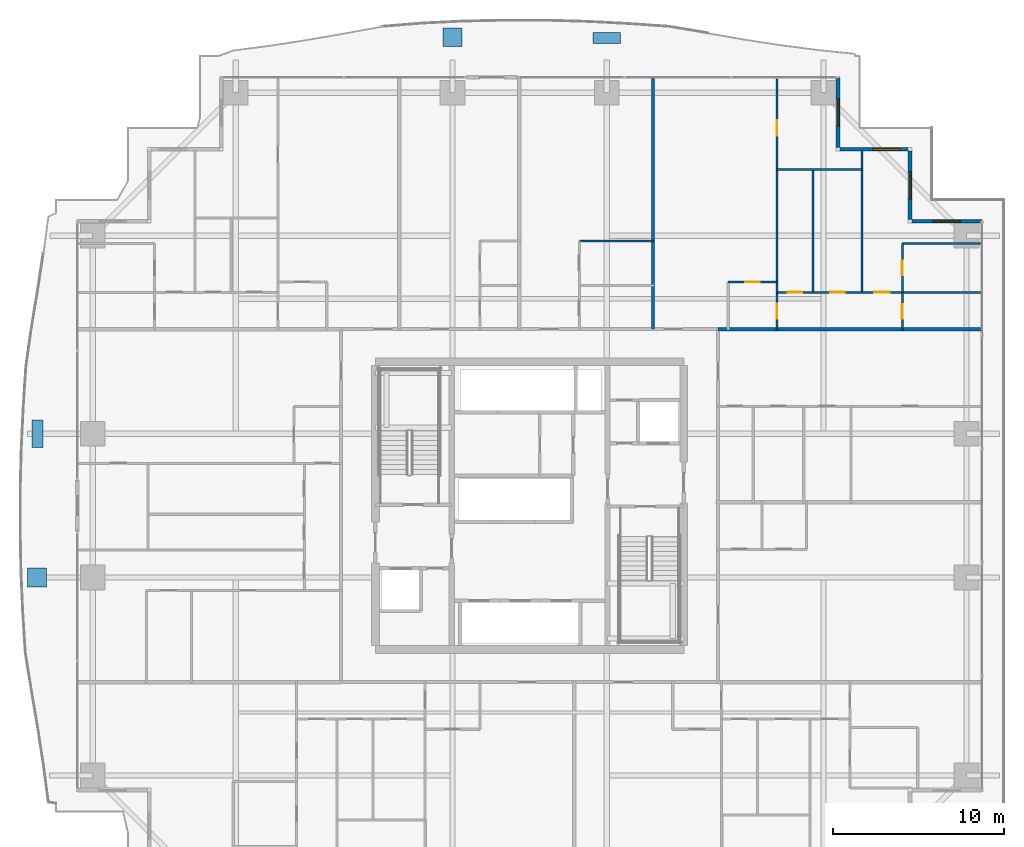
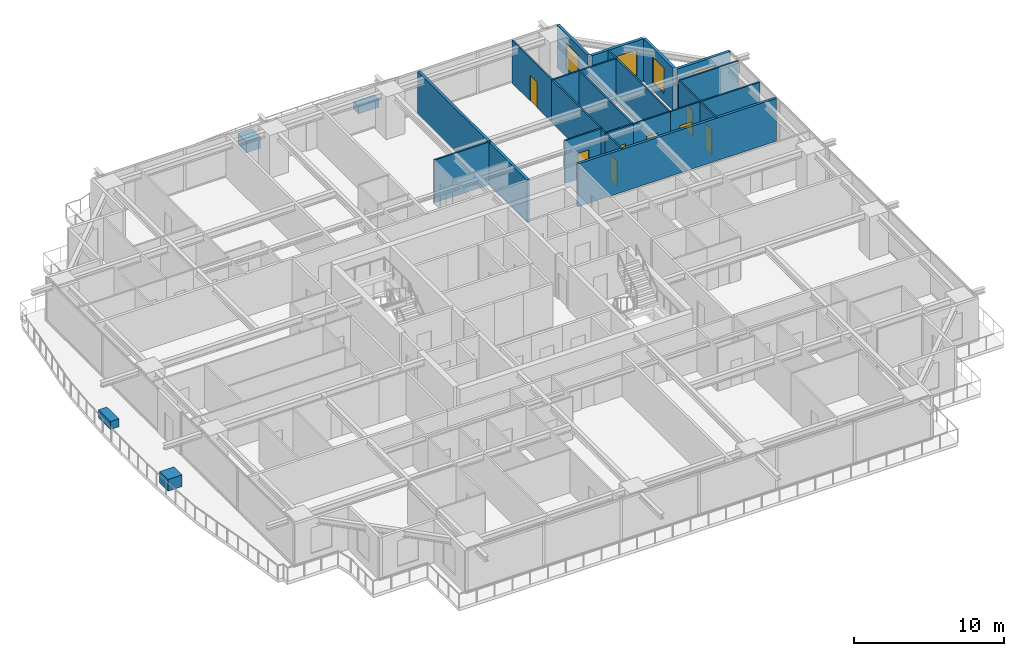
# One storey, part 27 of 34: 21 walls, 8 doors, 4 discrete accessories, 4 windows, 12 openings.
"""IFC4 building model written with IfcOpenShell, lengths in metres."""

from ifc_helpers import new_model, si_unit, direction, frame, frame_2d, origin, origin_2d, place, context, subcontext, project, spatial, rectangle, extrude, source, transform, mapped, material, layer, layer_set, type_object, element, fill, save


model = new_model("IFC4")

# Units and contexts
model_context = context("Model", 3, precision=1e-05, world=origin(), true_north=direction((0.0, 1.0)))
body_context = subcontext(model_context, "Body", "Model", "MODEL_VIEW")
ifc_project = project(units=[si_unit("LENGTHUNIT", "METRE"), si_unit("AREAUNIT", "SQUARE_METRE"), si_unit("VOLUMEUNIT", "CUBIC_METRE"), si_unit("PLANEANGLEUNIT", "RADIAN"), si_unit("MASSUNIT", "GRAM", prefix="KILO")], contexts=[model_context])

# Site, building, storey
site_placement = place(None, origin())
site = spatial("IfcSite", under=ifc_project, at=site_placement, CompositionType="ELEMENT")
building_placement = place(site_placement, origin())
building = spatial("IfcBuilding", under=site, at=building_placement, Name="Serunith Strait Residences", CompositionType="ELEMENT")
storey_placement = place(building_placement, frame((0.0, 0.0, 101.699951171875)))
storey = spatial("IfcBuildingStorey", under=building, at=storey_placement, Name="L25", CompositionType="ELEMENT", Elevation=101.699951171875)

# Wall, opening, window
ifc_material_1 = material(Name="Pale-Champagne Aluminium Insulated Panel", Category="aluminium")
ifc_layer_1 = layer(ifc_material_1, 0.219970703125, Name="Pale-Champagne Aluminium Insulated Panel")
ifc_layer_set_1 = layer_set([ifc_layer_1], Name="Pale-Champagne Aluminium Insulated Panel")
wall_type_1 = type_object("IfcWallType", Name="EW-ALUM-220", PredefinedType="ELEMENTEDWALL", material=ifc_layer_set_1)
wall_1_placement = place(storey_placement, frame((58.800048828125, 41.800048828125, 0.0), z_axis=(0.0, 0.0, 1.0), x_axis=(-1.0, 0.0, 0.0)))
wall_1 = element("IfcWall", 1, at=wall_1_placement, inside=storey, type_object=wall_type_1, Name="L25 Girih Serrated Corner Wall 07", PredefinedType="ELEMENTEDWALL", context=body_context, shape_type="SweptSolid", body=[
    extrude(rectangle(XDim=4.090087890625, YDim=0.219970703125, at=frame_2d((2.044921875, 0.0))), origin(), (0.0, 0.0, 1.0), 3.47509765625),
])
opening_1_placement = place(wall_1_placement, frame((1.2451171875, 0.0, 0.64990234375)))
opening_1 = element("IfcOpeningElement", 2, at=opening_1_placement, cuts=wall_1, Name="Opening W-02", PredefinedType="OPENING", context=body_context, shape_type="SweptSolid", body=[
    extrude(rectangle(XDim=1.60009765625, YDim=2.10009765625, at=frame_2d((0.800048828125, 1.050048828125))), frame((0.0, 0.1201171875, 0.0), z_axis=(0.0, -1.0, 0.0), x_axis=(1.0, 0.0, 0.0)), (0.0, 0.0, 1.0), 0.239990234375),
])
ifc_material_2 = material(Name="Ceramic-Fritted Operable Aluminium Window Glass", Category="aluminium")
window_type = type_object("IfcWindowType", Name="WIN-C2", PartitioningType="DOUBLE_PANEL_VERTICAL", PredefinedType="WINDOW", material=ifc_material_2)
shared_shape_1 = source(origin(), body_context, "Body", "SweptSolid", [
    extrude(rectangle(XDim=1.60009765625, YDim=2.10009765625, at=frame_2d((0.800048828125, 1.050048828125))), frame((0.0, 0.030029296875, 0.0), z_axis=(0.0, -1.0, 0.0), x_axis=(1.0, 0.0, 0.0)), (0.0, 0.0, 1.0), 0.06005859375),
])
window_1_placement = place(opening_1_placement, origin())
window_1 = element("IfcWindow", 3, at=window_1_placement, inside=storey, type_object=window_type, Name="L25 Corner Operable Fritted Window 07", OverallHeight=2.10009765625, OverallWidth=1.60009765625, PartitioningType="SINGLE_PANEL", PredefinedType="WINDOW", context=body_context, shape_type="MappedRepresentation", body=[
    mapped(shared_shape_1, transform((0.0, 0.0, 0.0), scale=1.0)),
])
fill(opening_1, window_1)

wall_2_placement = place(storey_placement, frame((54.60009765625, 41.909912109375, 0.0), z_axis=(0.0, 0.0, 1.0), x_axis=(0.0, 1.0, 0.0)))
wall_2 = element("IfcWall", 4, at=wall_2_placement, inside=storey, type_object=wall_type_1, Name="L25 Girih Serrated Corner Wall 08", PredefinedType="ELEMENTEDWALL", context=body_context, shape_type="SweptSolid", body=[
    extrude(rectangle(XDim=3.97998046875, YDim=0.219970703125, at=frame_2d((1.989990234375, 0.0))), origin(), (0.0, 0.0, 1.0), 3.47509765625),
])
opening_2_placement = place(wall_2_placement, frame((1.18994140625, 0.0, 0.64990234375)))
opening_2 = element("IfcOpeningElement", 5, at=opening_2_placement, cuts=wall_2, Name="Opening W-02", PredefinedType="OPENING", context=body_context, shape_type="SweptSolid", body=[
    extrude(rectangle(XDim=1.60009765625, YDim=2.10009765625, at=frame_2d((0.800048828125, 1.050048828125))), frame((0.0, 0.1201171875, 0.0), z_axis=(0.0, -1.0, 0.0), x_axis=(1.0, 0.0, 0.0)), (0.0, 0.0, 1.0), 0.239990234375),
])
window_2_placement = place(opening_2_placement, origin())
window_2 = element("IfcWindow", 6, at=window_2_placement, inside=storey, type_object=window_type, Name="L25 Corner Operable Fritted Window 08", OverallHeight=2.10009765625, OverallWidth=1.60009765625, PartitioningType="SINGLE_PANEL", PredefinedType="WINDOW", context=body_context, shape_type="MappedRepresentation", body=[
    mapped(shared_shape_1, transform((0.0, 0.0, 0.0), scale=1.0)),
])
fill(opening_2, window_2)

wall_3_placement = place(storey_placement, frame((54.489990234375, 46.0, 0.0), z_axis=(0.0, 0.0, 1.0), x_axis=(-1.0, 0.0, 0.0)))
wall_3 = element("IfcWall", 7, at=wall_3_placement, inside=storey, type_object=wall_type_1, Name="L25 Girih Serrated Corner Wall 09", PredefinedType="ELEMENTEDWALL", context=body_context, shape_type="SweptSolid", body=[
    extrude(rectangle(XDim=3.97998046875, YDim=0.219970703125, at=frame_2d((1.989990234375, 0.0))), origin(), (0.0, 0.0, 1.0), 3.47509765625),
])
opening_3_placement = place(wall_3_placement, frame((0.47607421875, 0.0, 0.64990234375)))
opening_3 = element("IfcOpeningElement", 8, at=opening_3_placement, cuts=wall_3, Name="Opening W-02", PredefinedType="OPENING", context=body_context, shape_type="SweptSolid", body=[
    extrude(rectangle(XDim=1.60009765625, YDim=2.10009765625, at=frame_2d((0.800048828125, 1.050048828125))), frame((0.0, 0.1201171875, 0.0), z_axis=(0.0, -1.0, 0.0), x_axis=(1.0, 0.0, 0.0)), (0.0, 0.0, 1.0), 0.239990234375),
])
window_3_placement = place(opening_3_placement, origin())
window_3 = element("IfcWindow", 9, at=window_3_placement, inside=storey, type_object=window_type, Name="L25 Corner Operable Fritted Window 09", OverallHeight=2.10009765625, OverallWidth=1.60009765625, PartitioningType="SINGLE_PANEL", PredefinedType="WINDOW", context=body_context, shape_type="MappedRepresentation", body=[
    mapped(shared_shape_1, transform((0.0, 0.0, 0.0), scale=1.0)),
])
fill(opening_3, window_3)

wall_4_placement = place(storey_placement, frame((50.39990234375, 46.110107421875, 0.0), z_axis=(0.0, 0.0, 1.0), x_axis=(0.0, 1.0, 0.0)))
wall_4 = element("IfcWall", 10, at=wall_4_placement, inside=storey, type_object=wall_type_1, Name="L25 Girih Serrated Corner Wall 10", PredefinedType="ELEMENTEDWALL", context=body_context, shape_type="SweptSolid", body=[
    extrude(rectangle(XDim=4.08984375, YDim=0.219970703125, at=frame_2d((2.044921875, 0.0))), origin(), (0.0, 0.0, 1.0), 3.47509765625),
])
opening_4_placement = place(wall_4_placement, frame((1.2451171875, 0.0, 0.64990234375)))
opening_4 = element("IfcOpeningElement", 11, at=opening_4_placement, cuts=wall_4, Name="Opening W-02", PredefinedType="OPENING", context=body_context, shape_type="SweptSolid", body=[
    extrude(rectangle(XDim=1.60009765625, YDim=2.10009765625, at=frame_2d((0.800048828125, 1.050048828125))), frame((0.0, 0.1201171875, 0.0), z_axis=(0.0, -1.0, 0.0), x_axis=(1.0, 0.0, 0.0)), (0.0, 0.0, 1.0), 0.239990234375),
])
window_4_placement = place(opening_4_placement, origin())
window_4 = element("IfcWindow", 12, at=window_4_placement, inside=storey, type_object=window_type, Name="L25 Corner Operable Fritted Window 10", OverallHeight=2.10009765625, OverallWidth=1.60009765625, PartitioningType="SINGLE_PANEL", PredefinedType="WINDOW", context=body_context, shape_type="MappedRepresentation", body=[
    mapped(shared_shape_1, transform((0.0, 0.0, 0.0), scale=1.0)),
])
fill(opening_4, window_4)

# Wall
ifc_material_3 = material(Name="Lightweight steel-stud gypsum partition", Category="steel")
ifc_layer_2 = layer(ifc_material_3, 0.1201171875, Name="Lightweight steel-stud gypsum partition")
ifc_layer_set_2 = layer_set([ifc_layer_2], Name="Lightweight steel-stud gypsum partition")
wall_type_2 = type_object("IfcWallType", Name="IW-PART-120", PredefinedType="PARTITIONING", material=ifc_layer_set_2)
wall_5_placement = place(storey_placement, frame((35.300048828125, 40.64990234375, 0.0), z_axis=(0.0, 0.0, 1.0), x_axis=(1.0, 0.0, 0.0)))
element("IfcWall", 13, at=wall_5_placement, inside=storey, type_object=wall_type_2, Name="L25 Partition Wall 084", PredefinedType="PARTITIONING", context=body_context, shape_type="SweptSolid", body=[
    extrude(rectangle(XDim=4.35986328125, YDim=0.1201171875, at=frame_2d((2.179931640625, 0.0))), origin(), (0.0, 0.0, 1.0), 3.489990234375),
])

# Wall, opening, door
wall_6_placement = place(storey_placement, frame((43.989990234375, 38.25, 0.0), z_axis=(0.0, 0.0, 1.0), x_axis=(1.0, 0.0, 0.0)))
wall_6 = element("IfcWall", 14, at=wall_6_placement, inside=storey, type_object=wall_type_2, Name="L25 Partition Wall 085", PredefinedType="PARTITIONING", context=body_context, shape_type="SweptSolid", body=[
    extrude(rectangle(XDim=2.85009765625, YDim=0.1201171875, at=frame_2d((1.425048828125, 0.0))), origin(), (0.0, 0.0, 1.0), 3.489990234375),
])
opening_5_placement = place(wall_6_placement, frame((1.0, 0.0, 0.0)))
opening_5 = element("IfcOpeningElement", 15, at=opening_5_placement, cuts=wall_6, Name="Opening D-RM850", PredefinedType="OPENING", context=body_context, shape_type="SweptSolid", body=[
    extrude(rectangle(XDim=0.85009765625, YDim=2.10009765625, at=frame_2d((0.425048828125, 1.050048828125))), frame((0.0, 0.070068359375, 0.0), z_axis=(0.0, -1.0, 0.0), x_axis=(1.0, 0.0, 0.0)), (0.0, 0.0, 1.0), 0.14013671875),
])
ifc_material_4 = material(Name="Engineered timber flush study and kitchen door", Category="wood")
door_type_1 = type_object("IfcDoorType", Name="ID-ROOM-850", OperationType="NOTDEFINED", PredefinedType="DOOR", material=ifc_material_4)
shared_shape_2 = source(origin(), body_context, "Body", "SweptSolid", [
    extrude(rectangle(XDim=0.85009765625, YDim=2.10009765625, at=frame_2d((0.425048828125, 1.050048828125))), frame((0.0, 0.02490234375, 0.0), z_axis=(0.0, -1.0, 0.0), x_axis=(1.0, 0.0, 0.0)), (0.0, 0.0, 1.0), 0.050048828125),
])
door_1_placement = place(opening_5_placement, origin())
door_1 = element("IfcDoor", 16, at=door_1_placement, inside=storey, type_object=door_type_1, Name="L25 Kitchen 2506 Door", OperationType="SINGLE_SWING_RIGHT", OverallHeight=2.10009765625, OverallWidth=0.85009765625, PredefinedType="DOOR", context=body_context, shape_type="MappedRepresentation", body=[
    mapped(shared_shape_2, transform((0.0, 0.0, 0.0), scale=1.0)),
])
fill(opening_5, door_1)

wall_7_placement = place(storey_placement, frame((46.840087890625, 37.64990234375, 0.0), z_axis=(0.0, 0.0, 1.0), x_axis=(0.0, -1.0, 0.0)))
wall_7 = element("IfcWall", 17, at=wall_7_placement, inside=storey, type_object=wall_type_2, Name="L25 Partition Wall 087", PredefinedType="PARTITIONING", context=body_context, shape_type="SweptSolid", body=[
    extrude(rectangle(XDim=2.2099609375, YDim=0.1201171875, at=frame_2d((1.10498046875, 0.0))), origin(), (0.0, 0.0, 1.0), 3.489990234375),
])
opening_6_placement = place(wall_7_placement, frame((0.655029296875, 0.0, 0.0)))
opening_6 = element("IfcOpeningElement", 18, at=opening_6_placement, cuts=wall_7, Name="Opening D-RM900", PredefinedType="OPENING", context=body_context, shape_type="SweptSolid", body=[
    extrude(rectangle(XDim=0.89990234375, YDim=2.10009765625, at=frame_2d((0.449951171875, 1.050048828125))), frame((0.0, 0.070068359375, 0.0), z_axis=(0.0, -1.0, 0.0), x_axis=(1.0, 0.0, 0.0)), (0.0, 0.0, 1.0), 0.14013671875),
])
ifc_material_5 = material(Name="Engineered timber flush bedroom door", Category="wood")
door_type_2 = type_object("IfcDoorType", Name="ID-ROOM-900", OperationType="NOTDEFINED", PredefinedType="DOOR", material=ifc_material_5)
shared_shape_3 = source(origin(), body_context, "Body", "SweptSolid", [
    extrude(rectangle(XDim=0.89990234375, YDim=2.10009765625, at=frame_2d((0.449951171875, 1.050048828125))), frame((0.0, 0.02490234375, 0.0), z_axis=(0.0, -1.0, 0.0), x_axis=(1.0, 0.0, 0.0)), (0.0, 0.0, 1.0), 0.050048828125),
])
door_2_placement = place(opening_6_placement, origin())
door_2 = element("IfcDoor", 19, at=door_2_placement, inside=storey, type_object=door_type_2, Name="L25 Hall E 2506 Door", OperationType="SINGLE_SWING_LEFT", OverallHeight=2.10009765625, OverallWidth=0.89990234375, PredefinedType="DOOR", context=body_context, shape_type="MappedRepresentation", body=[
    mapped(shared_shape_3, transform((0.0, 0.0, 0.0), scale=1.0)),
])
fill(opening_6, door_2)

wall_8_placement = place(storey_placement, frame((46.840087890625, 50.10498046875, 0.0), z_axis=(0.0, 0.0, 1.0), x_axis=(0.0, -1.0, 0.0)))
wall_8 = element("IfcWall", 20, at=wall_8_placement, inside=storey, type_object=wall_type_2, Name="L25 Partition Wall 088", PredefinedType="PARTITIONING", context=body_context, shape_type="SweptSolid", body=[
    extrude(rectangle(XDim=5.286865234375, YDim=0.1201171875, at=frame_2d((2.6435546875, 0.0))), origin(), (0.0, 0.0, 1.0), 3.489990234375),
])
opening_7_placement = place(wall_8_placement, frame((2.4130859375, 0.0, 0.0)))
opening_7 = element("IfcOpeningElement", 21, at=opening_7_placement, cuts=wall_8, Name="Opening D-RM900", PredefinedType="OPENING", context=body_context, shape_type="SweptSolid", body=[
    extrude(rectangle(XDim=0.89990234375, YDim=2.10009765625, at=frame_2d((0.449951171875, 1.050048828125))), frame((0.0, 0.070068359375, 0.0), z_axis=(0.0, -1.0, 0.0), x_axis=(1.0, 0.0, 0.0)), (0.0, 0.0, 1.0), 0.14013671875),
])
door_3_placement = place(opening_7_placement, origin())
door_3 = element("IfcDoor", 22, at=door_3_placement, inside=storey, type_object=door_type_2, Name="L25 Study 1 2506 Door", OperationType="SINGLE_SWING_RIGHT", OverallHeight=2.10009765625, OverallWidth=0.89990234375, PredefinedType="DOOR", context=body_context, shape_type="MappedRepresentation", body=[
    mapped(shared_shape_3, transform((0.0, 0.0, 0.0), scale=1.0)),
])
fill(opening_7, door_3)

# Walls
wall_9_placement = place(storey_placement, frame((46.840087890625, 44.81591796875, 0.0), z_axis=(0.0, 0.0, 1.0), x_axis=(0.0, -1.0, 0.0)))
element("IfcWall", 23, at=wall_9_placement, inside=storey, type_object=wall_type_2, Name="L25 Partition Wall 089", PredefinedType="PARTITIONING", context=body_context, shape_type="SweptSolid", body=[
    extrude(rectangle(XDim=7.163818359375, YDim=0.1201171875, at=frame_2d((3.58203125, 0.0))), origin(), (0.0, 0.0, 1.0), 3.489990234375),
])
wall_10_placement = place(storey_placement, frame((46.840087890625, 44.818115234375, 0.0), z_axis=(0.0, 0.0, 1.0), x_axis=(1.0, 0.0, 0.0)))
element("IfcWall", 24, at=wall_10_placement, inside=storey, type_object=wall_type_2, Name="L25 Partition Wall 090", PredefinedType="PARTITIONING", context=body_context, shape_type="SweptSolid", body=[
    extrude(rectangle(XDim=4.9599609375, YDim=0.1201171875, at=frame_2d((2.47998046875, 0.0))), origin(), (0.0, 0.0, 1.0), 3.489990234375),
])
wall_11_placement = place(storey_placement, frame((51.800048828125, 45.905029296875, 0.0), z_axis=(0.0, 0.0, 1.0), x_axis=(0.0, -1.0, 0.0)))
element("IfcWall", 25, at=wall_11_placement, inside=storey, type_object=wall_type_2, Name="L25 Partition Wall 091", PredefinedType="PARTITIONING", context=body_context, shape_type="SweptSolid", body=[
    extrude(rectangle(XDim=8.255126953125, YDim=0.1201171875, at=frame_2d((4.12744140625, 0.0))), origin(), (0.0, 0.0, 1.0), 3.489990234375),
])
wall_12_placement = place(storey_placement, frame((48.93994140625, 44.818115234375, 0.0), z_axis=(0.0, 0.0, 1.0), x_axis=(0.0, -1.0, 0.0)))
element("IfcWall", 26, at=wall_12_placement, inside=storey, type_object=wall_type_2, Name="L25 Partition Wall 092", PredefinedType="PARTITIONING", context=body_context, shape_type="SweptSolid", body=[
    extrude(rectangle(XDim=7.168212890625, YDim=0.1201171875, at=frame_2d((3.583984375, 0.0))), origin(), (0.0, 0.0, 1.0), 3.489990234375),
])

# Wall, opening, door
wall_13_placement = place(storey_placement, frame((46.840087890625, 37.64990234375, 0.0), z_axis=(0.0, 0.0, 1.0), x_axis=(1.0, 0.0, 0.0)))
wall_13 = element("IfcWall", 27, at=wall_13_placement, inside=storey, type_object=wall_type_2, Name="L25 Partition Wall 093", PredefinedType="PARTITIONING", context=body_context, shape_type="SweptSolid", body=[
    extrude(rectangle(XDim=2.099853515625, YDim=0.1201171875, at=frame_2d((1.0498046875, 0.0))), origin(), (0.0, 0.0, 1.0), 3.489990234375),
])
opening_8_placement = place(wall_13_placement, frame((0.625, 0.0, 0.0)))
opening_8 = element("IfcOpeningElement", 28, at=opening_8_placement, cuts=wall_13, Name="Opening D-BTH850", PredefinedType="OPENING", context=body_context, shape_type="SweptSolid", body=[
    extrude(rectangle(XDim=0.85009765625, YDim=2.10009765625, at=frame_2d((0.425048828125, 1.050048828125))), frame((0.0, 0.070068359375, 0.0), z_axis=(0.0, -1.0, 0.0), x_axis=(1.0, 0.0, 0.0)), (0.0, 0.0, 1.0), 0.14013671875),
])
ifc_material_6 = material(Name="Moisture-resistant timber bathroom door", Category="wood")
door_type_3 = type_object("IfcDoorType", Name="ID-BATH-850", OperationType="NOTDEFINED", PredefinedType="DOOR", material=ifc_material_6)
door_4_placement = place(opening_8_placement, origin())
door_4 = element("IfcDoor", 29, at=door_4_placement, inside=storey, type_object=door_type_3, Name="L25 Bathroom 2506 Door", OperationType="SINGLE_SWING_LEFT", OverallHeight=2.10009765625, OverallWidth=0.85009765625, PredefinedType="DOOR", context=body_context, shape_type="MappedRepresentation", body=[
    mapped(shared_shape_2, transform((0.0, 0.0, 0.0), scale=1.0)),
])
fill(opening_8, door_4)

wall_14_placement = place(storey_placement, frame((48.94189453125, 37.64990234375, 0.0), z_axis=(0.0, 0.0, 1.0), x_axis=(1.0, 0.0, 0.0)))
wall_14 = element("IfcWall", 30, at=wall_14_placement, inside=storey, type_object=wall_type_2, Name="L25 Partition Wall 094", PredefinedType="PARTITIONING", context=body_context, shape_type="SweptSolid", body=[
    extrude(rectangle(XDim=2.858154296875, YDim=0.1201171875, at=frame_2d((1.42919921875, 0.0))), origin(), (0.0, 0.0, 1.0), 3.489990234375),
])
opening_9_placement = place(wall_14_placement, frame((1.00390625, 0.0, 0.0)))
opening_9 = element("IfcOpeningElement", 31, at=opening_9_placement, cuts=wall_14, Name="Opening D-RM850", PredefinedType="OPENING", context=body_context, shape_type="SweptSolid", body=[
    extrude(rectangle(XDim=0.85009765625, YDim=2.10009765625, at=frame_2d((0.425048828125, 1.050048828125))), frame((0.0, 0.070068359375, 0.0), z_axis=(0.0, -1.0, 0.0), x_axis=(1.0, 0.0, 0.0)), (0.0, 0.0, 1.0), 0.14013671875),
])
door_5_placement = place(opening_9_placement, origin())
door_5 = element("IfcDoor", 32, at=door_5_placement, inside=storey, type_object=door_type_1, Name="L25 Study 2506 Door", OperationType="SINGLE_SWING_RIGHT", OverallHeight=2.10009765625, OverallWidth=0.85009765625, PredefinedType="DOOR", context=body_context, shape_type="MappedRepresentation", body=[
    mapped(shared_shape_2, transform((0.0, 0.0, 0.0), scale=1.0)),
])
fill(opening_9, door_5)

wall_15_placement = place(storey_placement, frame((51.802001953125, 37.64990234375, 0.0), z_axis=(0.0, 0.0, 1.0), x_axis=(1.0, 0.0, 0.0)))
wall_15 = element("IfcWall", 33, at=wall_15_placement, inside=storey, type_object=wall_type_2, Name="L25 Partition Wall 095", PredefinedType="PARTITIONING", context=body_context, shape_type="SweptSolid", body=[
    extrude(rectangle(XDim=2.347900390625, YDim=0.1201171875, at=frame_2d((1.173828125, 0.0))), origin(), (0.0, 0.0, 1.0), 3.489990234375),
])
opening_10_placement = place(wall_15_placement, frame((0.72412109375, 0.0, 0.0)))
opening_10 = element("IfcOpeningElement", 34, at=opening_10_placement, cuts=wall_15, Name="Opening D-RM900", PredefinedType="OPENING", context=body_context, shape_type="SweptSolid", body=[
    extrude(rectangle(XDim=0.89990234375, YDim=2.10009765625, at=frame_2d((0.449951171875, 1.050048828125))), frame((0.0, 0.070068359375, 0.0), z_axis=(0.0, -1.0, 0.0), x_axis=(1.0, 0.0, 0.0)), (0.0, 0.0, 1.0), 0.14013671875),
])
door_6_placement = place(opening_10_placement, origin())
door_6 = element("IfcDoor", 35, at=door_6_placement, inside=storey, type_object=door_type_2, Name="L25 Master Bedroom E 2506 Door", OperationType="SINGLE_SWING_LEFT", OverallHeight=2.10009765625, OverallWidth=0.89990234375, PredefinedType="DOOR", context=body_context, shape_type="MappedRepresentation", body=[
    mapped(shared_shape_3, transform((0.0, 0.0, 0.0), scale=1.0)),
])
fill(opening_10, door_6)

# Walls
wall_16_placement = place(storey_placement, frame((54.14990234375, 40.506103515625, 0.0), z_axis=(0.0, 0.0, 1.0), x_axis=(1.0, 0.0, 0.0)))
element("IfcWall", 36, at=wall_16_placement, inside=storey, type_object=wall_type_2, Name="L25 Partition Wall 096", PredefinedType="PARTITIONING", context=body_context, shape_type="SweptSolid", body=[
    extrude(rectangle(XDim=4.55517578125, YDim=0.1201171875, at=frame_2d((2.277587890625, 0.0))), origin(), (0.0, 0.0, 1.0), 3.489990234375),
])
wall_17_placement = place(storey_placement, frame((54.152099609375, 37.64990234375, 0.0), z_axis=(0.0, 0.0, 1.0), x_axis=(1.0, 0.0, 0.0)))
element("IfcWall", 37, at=wall_17_placement, inside=storey, type_object=wall_type_2, Name="L25 Partition Wall 097", PredefinedType="PARTITIONING", context=body_context, shape_type="SweptSolid", body=[
    extrude(rectangle(XDim=4.552978515625, YDim=0.1201171875, at=frame_2d((2.2763671875, 0.0))), origin(), (0.0, 0.0, 1.0), 3.489990234375),
])

# Wall, opening, door
wall_18_placement = place(storey_placement, frame((54.14990234375, 40.506103515625, 0.0), z_axis=(0.0, 0.0, 1.0), x_axis=(0.0, -1.0, 0.0)))
wall_18 = element("IfcWall", 38, at=wall_18_placement, inside=storey, type_object=wall_type_2, Name="L25 Partition Wall 098", PredefinedType="PARTITIONING", context=body_context, shape_type="SweptSolid", body=[
    extrude(rectangle(XDim=2.856201171875, YDim=0.1201171875, at=frame_2d((1.42822265625, 0.0))), origin(), (0.0, 0.0, 1.0), 3.489990234375),
])
opening_11_placement = place(wall_18_placement, frame((1.0029296875, 0.0, 0.0)))
opening_11 = element("IfcOpeningElement", 39, at=opening_11_placement, cuts=wall_18, Name="Opening D-BTH850", PredefinedType="OPENING", context=body_context, shape_type="SweptSolid", body=[
    extrude(rectangle(XDim=0.85009765625, YDim=2.10009765625, at=frame_2d((0.425048828125, 1.050048828125))), frame((0.0, 0.070068359375, 0.0), z_axis=(0.0, -1.0, 0.0), x_axis=(1.0, 0.0, 0.0)), (0.0, 0.0, 1.0), 0.14013671875),
])
door_7_placement = place(opening_11_placement, origin())
door_7 = element("IfcDoor", 40, at=door_7_placement, inside=storey, type_object=door_type_3, Name="L25 En-suite Bathroom E 2506 Door", OperationType="SINGLE_SWING_RIGHT", OverallHeight=2.10009765625, OverallWidth=0.85009765625, PredefinedType="DOOR", context=body_context, shape_type="MappedRepresentation", body=[
    mapped(shared_shape_2, transform((0.0, 0.0, 0.0), scale=1.0)),
])
fill(opening_11, door_7)

wall_19_placement = place(storey_placement, frame((54.14990234375, 37.64794921875, 0.0), z_axis=(0.0, 0.0, 1.0), x_axis=(0.0, -1.0, 0.0)))
wall_19 = element("IfcWall", 41, at=wall_19_placement, inside=storey, type_object=wall_type_2, Name="L25 Partition Wall 099", PredefinedType="PARTITIONING", context=body_context, shape_type="SweptSolid", body=[
    extrude(rectangle(XDim=2.2080078125, YDim=0.1201171875, at=frame_2d((1.10400390625, 0.0))), origin(), (0.0, 0.0, 1.0), 3.489990234375),
])
opening_12_placement = place(wall_19_placement, frame((0.678955078125, 0.0, 0.0)))
opening_12 = element("IfcOpeningElement", 42, at=opening_12_placement, cuts=wall_19, Name="Opening D-RM850", PredefinedType="OPENING", context=body_context, shape_type="SweptSolid", body=[
    extrude(rectangle(XDim=0.85009765625, YDim=2.10009765625, at=frame_2d((0.425048828125, 1.050048828125))), frame((0.0, 0.070068359375, 0.0), z_axis=(0.0, -1.0, 0.0), x_axis=(1.0, 0.0, 0.0)), (0.0, 0.0, 1.0), 0.14013671875),
])
door_8_placement = place(opening_12_placement, origin())
door_8 = element("IfcDoor", 43, at=door_8_placement, inside=storey, type_object=door_type_1, Name="L25 Wardrobe E 2506 Door", OperationType="SINGLE_SWING_LEFT", OverallHeight=2.10009765625, OverallWidth=0.85009765625, PredefinedType="DOOR", context=body_context, shape_type="MappedRepresentation", body=[
    mapped(shared_shape_2, transform((0.0, 0.0, 0.0), scale=1.0)),
])
fill(opening_12, door_8)

# Walls
ifc_material_7 = material(Name="Twin-stud acoustic gypsum board partition")
ifc_layer_3 = layer(ifc_material_7, 0.199951171875, Name="Twin-stud acoustic gypsum board partition")
ifc_layer_set_3 = layer_set([ifc_layer_3], Name="Twin-stud acoustic gypsum board partition")
wall_type_3 = type_object("IfcWallType", Name="IW-PARTY-200", PredefinedType="PARTITIONING", material=ifc_layer_set_3)
wall_20_placement = place(storey_placement, frame((39.60009765625, 35.5, 0.0), z_axis=(0.0, 0.0, 1.0), x_axis=(0.0, 1.0, 0.0)))
element("IfcWall", 44, at=wall_20_placement, inside=storey, type_object=wall_type_3, Name="L25 Partition Wall 018", PredefinedType="PARTITIONING", context=body_context, shape_type="SweptSolid", body=[
    extrude(rectangle(XDim=14.617919921875, YDim=0.199951171875, at=frame_2d((7.30908203125, 0.0))), origin(), (0.0, 0.0, 1.0), 3.489990234375),
])
wall_21_placement = place(storey_placement, frame((43.39990234375, 35.5, 0.0), z_axis=(0.0, 0.0, 1.0), x_axis=(1.0, 0.0, 0.0)))
element("IfcWall", 45, at=wall_21_placement, inside=storey, type_object=wall_type_3, Name="L25 Partition Wall 023", PredefinedType="PARTITIONING", context=body_context, shape_type="SweptSolid", body=[
    extrude(rectangle(XDim=15.318115234375, YDim=0.199951171875, at=frame_2d((7.6591796875, 0.0))), origin(), (0.0, 0.0, 1.0), 3.489990234375),
])

# Discrete accessories
ifc_material_8 = material(Name="GFRC Root-Anchored Structural Planter")
discrete_accessory_type_1 = type_object("IfcDiscreteAccessoryType", Name="ACC-PLANTER-TREE", PredefinedType="USERDEFINED", material=ifc_material_8)
shared_shape_4 = source(origin(), body_context, "Body", "SweptSolid", [
    extrude(rectangle(XDim=1.10009765625, YDim=1.10009765625, at=origin_2d()), origin(), (0.0, 0.0, 1.0), 0.949951171875),
])
for number, where, z_axis, x_axis, name in (
    (46, (27.89990234375, 52.538818359375, -0.0498046875), (0.0, 0.0, 1.0), (-1.0, 0.0, 0.0), "L25 Vertical-Forest Tree Planter 06"),
    (47, (3.638427734375, 21.0, -0.0498046875), (0.0, 0.0, 1.0), (0.0, -1.0, 0.0), "L25 Vertical-Forest Tree Planter 14"),
):
    element("IfcDiscreteAccessory", number, at=place(storey_placement, frame(where, z_axis=z_axis, x_axis=x_axis)), inside=storey, type_object=discrete_accessory_type_1, Name=name, ObjectType="PLANTER", PredefinedType="USERDEFINED", context=body_context, shape_type="MappedRepresentation", body=[
        mapped(shared_shape_4, transform((0.0, 0.0, 0.0), scale=1.0)),
    ])
ifc_material_9 = material(Name="GFRC Irrigated Shrub Trough Planter")
discrete_accessory_type_2 = type_object("IfcDiscreteAccessoryType", Name="ACC-PLANTER-SHRUB", PredefinedType="USERDEFINED", material=ifc_material_9)
shared_shape_5 = source(origin(), body_context, "Body", "SweptSolid", [
    extrude(rectangle(XDim=1.60009765625, YDim=0.64990234375, at=origin_2d()), origin(), (0.0, 0.0, 1.0), 0.64990234375),
])
for number, where, z_axis, x_axis, name in (
    (48, (36.89990234375, 52.492919921875, -0.0498046875), (0.0, 0.0, 1.0), (-1.0, 0.0, 0.0), "L25 Vertical-Forest Shrub Planter 07"),
    (49, (3.681884765625, 29.39990234375, -0.0498046875), (0.0, 0.0, 1.0), (0.0, -1.0, 0.0), "L25 Vertical-Forest Shrub Planter 15"),
):
    element("IfcDiscreteAccessory", number, at=place(storey_placement, frame(where, z_axis=z_axis, x_axis=x_axis)), inside=storey, type_object=discrete_accessory_type_2, Name=name, ObjectType="PLANTER", PredefinedType="USERDEFINED", context=body_context, shape_type="MappedRepresentation", body=[
        mapped(shared_shape_5, transform((0.0, 0.0, 0.0), scale=1.0)),
    ])

save(model, "model.ifc")
